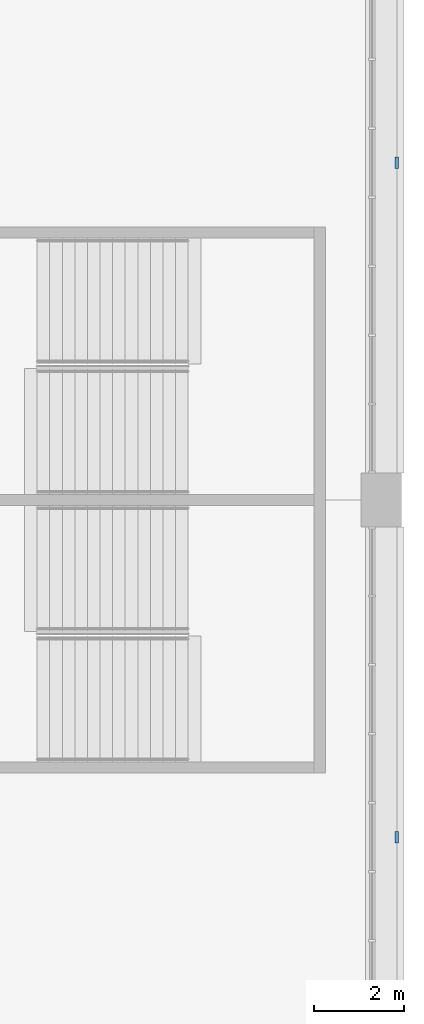
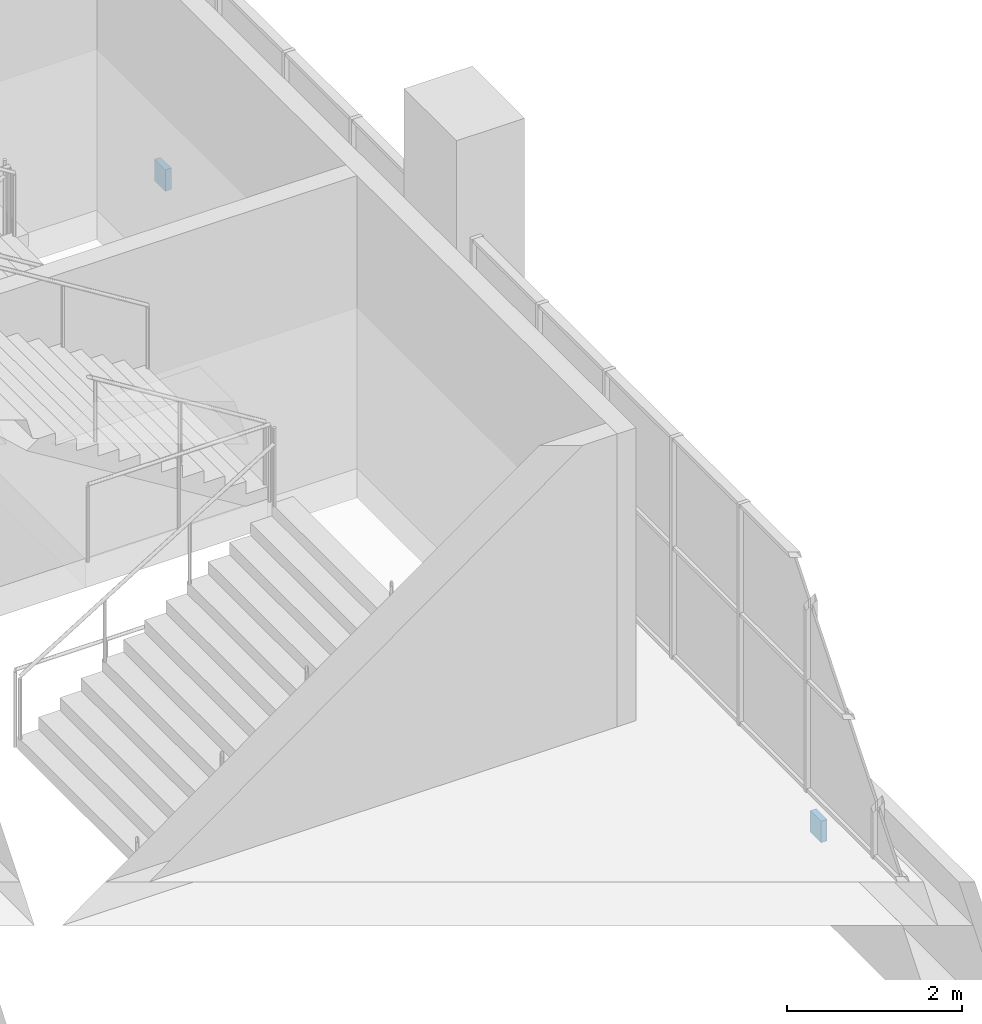
# One storey, part 112 of 249: 2 discrete accessories.
"""IFC4 building model written with IfcOpenShell, lengths in metres."""

from ifc_helpers import new_model, si_unit, direction, frame, origin, origin_2d, place, context, subcontext, project, spatial, rectangle, extrude, material, layer, layer_set, type_object, element, save


model = new_model("IFC4")

# Units and contexts
model_context = context("Model", 3, precision=1e-05, world=origin(), true_north=direction((0.0, 1.0)))
body_context = subcontext(model_context, "Body", "Model", "MODEL_VIEW")
ifc_project = project(units=[si_unit("LENGTHUNIT", "METRE"), si_unit("AREAUNIT", "SQUARE_METRE"), si_unit("VOLUMEUNIT", "CUBIC_METRE"), si_unit("PLANEANGLEUNIT", "RADIAN"), si_unit("MASSUNIT", "GRAM", prefix="KILO")], contexts=[model_context])

# Site, building, storey
site_placement = place(None, origin())
site = spatial("IfcSite", under=ifc_project, at=site_placement, CompositionType="ELEMENT")
building_placement = place(site_placement, origin())
building = spatial("IfcBuilding", under=site, at=building_placement, Name="Ogive Plaza Stadium", CompositionType="ELEMENT")
storey_placement = place(building_placement, frame((0.0, 0.0, 13.5)))
storey = spatial("IfcBuildingStorey", under=building, at=storey_placement, Name="L03", CompositionType="ELEMENT", Elevation=13.5)

# Discrete accessories
ifc_material = material(Name="Steel ASTM A572 Grade 50", Category="steel")
ifc_layer = layer(ifc_material, 0.080078125)
ifc_layer_set = layer_set([ifc_layer], Name="Steel ASTM A572 Grade 50")
discrete_accessory_type = type_object("IfcDiscreteAccessoryType", Name="Spandrel cladding bracket 250x300", PredefinedType="BRACKET", material=ifc_layer_set)
for number, where, z_axis, x_axis, name in (
    (1, (84.35009765625, 45.0, -1.31005859375), (0.0, 0.0, 1.0), (0.0, -1.0, 0.0), "SPANDREL BRACKET B01 L03"),
    (2, (84.35009765625, 30.0, -1.31005859375), (0.0, 0.0, 1.0), (0.0, -1.0, 0.0), "SPANDREL BRACKET B02 L03"),
):
    element("IfcDiscreteAccessory", number, at=place(storey_placement, frame(where, z_axis=z_axis, x_axis=x_axis)), inside=storey, type_object=discrete_accessory_type, Name=name, PredefinedType="BRACKET", context=body_context, shape_type="SweptSolid", body=[
        extrude(rectangle(XDim=0.25, YDim=0.080078125, at=origin_2d()), origin(), (0.0, 0.0, 1.0), 0.300048828125),
    ])

save(model, "model.ifc")
